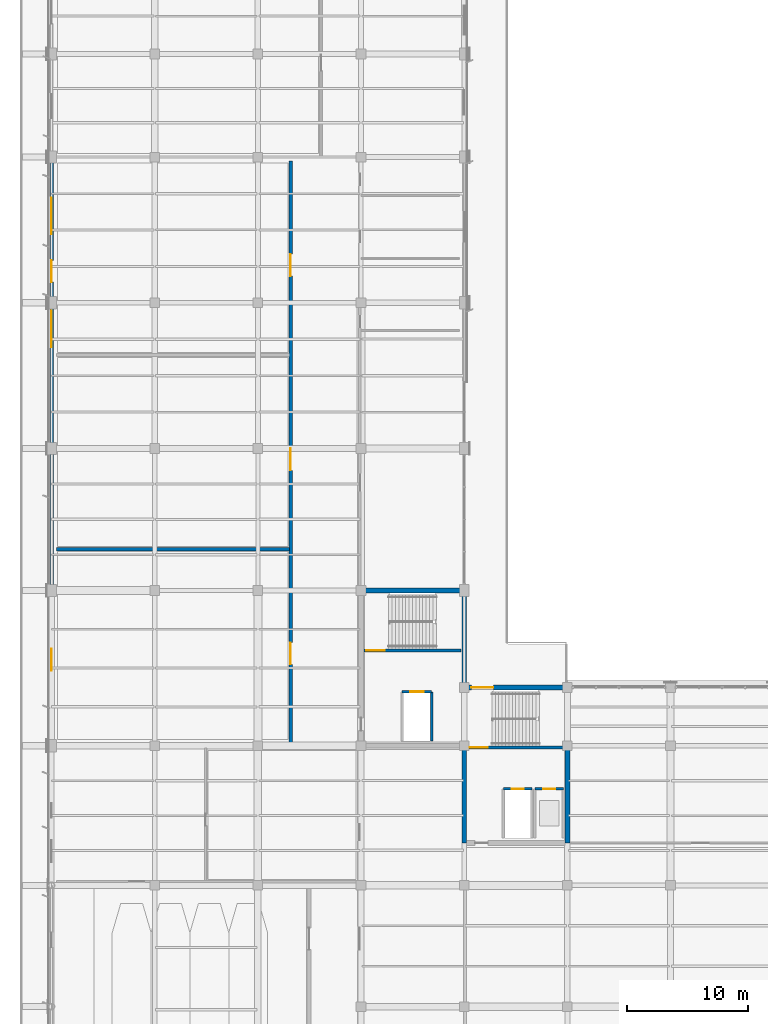
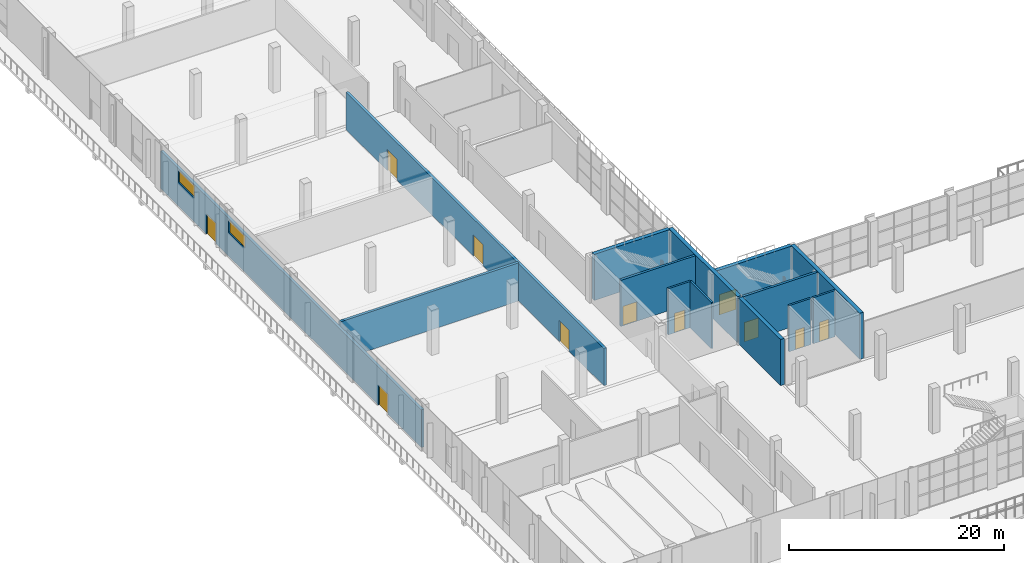
# One storey, part 67 of 90: 14 walls, 11 doors, 2 windows, 13 openings.
"""IFC4 building model written with IfcOpenShell, lengths in metres."""

from ifc_helpers import new_model, si_unit, direction, frame, frame_2d, origin, place, context, subcontext, project, spatial, rectangle, extrude, material, layer, layer_set, type_object, element, fill, save


model = new_model("IFC4")

# Units and contexts
model_context = context("Model", 3, precision=1e-05, world=origin(), true_north=direction((0.0, 1.0)))
body_context = subcontext(model_context, "Body", "Model", "MODEL_VIEW")
ifc_project = project(units=[si_unit("LENGTHUNIT", "METRE"), si_unit("AREAUNIT", "SQUARE_METRE"), si_unit("VOLUMEUNIT", "CUBIC_METRE"), si_unit("PLANEANGLEUNIT", "RADIAN"), si_unit("MASSUNIT", "GRAM", prefix="KILO")], contexts=[model_context])

# Site, building, storey
site_placement = place(None, origin())
site = spatial("IfcSite", under=ifc_project, at=site_placement, CompositionType="ELEMENT")
building_placement = place(site_placement, origin())
building = spatial("IfcBuilding", under=site, at=building_placement, Name="Solvikara Media Centre", CompositionType="ELEMENT")
storey_placement = place(building_placement, origin())
storey = spatial("IfcBuildingStorey", under=building, at=storey_placement, Name="L00", CompositionType="ELEMENT", Elevation=0.0)

# Walls
ifc_material_1 = material(Name="Concrete fc' 45 MPa (C45/55)", Category="concrete")
ifc_layer_1 = layer(ifc_material_1, 0.39990234375)
ifc_layer_set_1 = layer_set([ifc_layer_1], Name="Concrete fc' 45 MPa (C45/55)")
wall_type_1 = type_object("IfcWallType", Name="WT-02", PredefinedType="SHEAR", material=ifc_layer_set_1)
wall_1_placement = place(storey_placement, frame((34.0, 32.0, 0.0), z_axis=(0.0, 0.0, 1.0), x_axis=(0.0, 1.0, 0.0)))
element("IfcWall", 1, at=wall_1_placement, inside=storey, type_object=wall_type_1, Name="CW-C1-L00-E", PredefinedType="SHEAR", context=body_context, shape_type="SweptSolid", body=[
    extrude(rectangle(XDim=12.800048828125, YDim=0.39990234375, at=frame_2d((6.39990234375, 0.0))), origin(), (0.0, 0.0, 1.0), 5.239990234375),
])
wall_2_placement = place(storey_placement, frame((25.699951171875, 44.800048828125, 0.0), z_axis=(0.0, 0.0, 1.0), x_axis=(1.0, 0.0, 0.0)))
element("IfcWall", 2, at=wall_2_placement, inside=storey, type_object=wall_type_1, Name="CW-C1-L00-N", PredefinedType="SHEAR", context=body_context, shape_type="SweptSolid", body=[
    extrude(rectangle(XDim=8.10009765625, YDim=0.39990234375, at=frame_2d((4.050048828125, 0.0))), origin(), (0.0, 0.0, 1.0), 5.239990234375),
])
wall_3_placement = place(storey_placement, frame((34.0, 24.0, 0.0), z_axis=(0.0, 0.0, 1.0), x_axis=(0.0, 1.0, 0.0)))
element("IfcWall", 3, at=wall_3_placement, inside=storey, type_object=wall_type_1, Name="CW-C2-L00-W", PredefinedType="SHEAR", context=body_context, shape_type="SweptSolid", body=[
    extrude(rectangle(XDim=7.800048828125, YDim=0.39990234375, at=frame_2d((3.89990234375, 0.0))), origin(), (0.0, 0.0, 1.0), 5.239990234375),
])
wall_4_placement = place(storey_placement, frame((42.5, 24.0, 0.0), z_axis=(0.0, 0.0, 1.0), x_axis=(0.0, 1.0, 0.0)))
element("IfcWall", 4, at=wall_4_placement, inside=storey, type_object=wall_type_1, Name="CW-C2-L00-E", PredefinedType="SHEAR", context=body_context, shape_type="SweptSolid", body=[
    extrude(rectangle(XDim=12.800048828125, YDim=0.39990234375, at=frame_2d((6.39990234375, 0.0))), origin(), (0.0, 0.0, 1.0), 5.239990234375),
])

# Wall, opening, door
wall_5_placement = place(storey_placement, frame((34.199951171875, 36.800048828125, 0.0), z_axis=(0.0, 0.0, 1.0), x_axis=(1.0, 0.0, 0.0)))
wall_5 = element("IfcWall", 5, at=wall_5_placement, inside=storey, type_object=wall_type_1, Name="CW-C2-L00-N", PredefinedType="SHEAR", context=body_context, shape_type="SweptSolid", body=[
    extrude(rectangle(XDim=8.10009765625, YDim=0.39990234375, at=frame_2d((4.050048828125, 0.0))), origin(), (0.0, 0.0, 1.0), 5.239990234375),
])
opening_1_placement = place(wall_5_placement, frame((0.39990234375, 0.0, 0.0)))
opening_1 = element("IfcOpeningElement", 6, at=opening_1_placement, cuts=wall_5, Name="Opening EX-C2", PredefinedType="OPENING", context=body_context, shape_type="SweptSolid", body=[
    extrude(rectangle(XDim=1.800048828125, YDim=2.300048828125, at=frame_2d((0.89990234375, 1.14990234375))), frame((0.0, 0.2119140625, 0.0), z_axis=(0.0, -1.0, 0.0), x_axis=(1.0, 0.0, 0.0)), (0.0, 0.0, 1.0), 0.423828125),
])
ifc_material_2 = material(Name="Insulated fire-rated steel door leaf", Category="steel")
door_type_1 = type_object("IfcDoorType", Name="DT-03", OperationType="DOUBLE_DOOR_SINGLE_SWING", PredefinedType="DOOR", material=ifc_material_2)
door_1_placement = place(opening_1_placement, origin())
door_1 = element("IfcDoor", 7, at=door_1_placement, inside=storey, type_object=door_type_1, Name="EX-C2", OperationType="DOUBLE_DOOR_SINGLE_SWING", OverallHeight=2.300048828125, OverallWidth=1.800048828125, PredefinedType="DOOR", context=body_context, shape_type="SweptSolid", body=[
    extrude(rectangle(XDim=1.800048828125, YDim=2.300048828125, at=frame_2d((0.89990234375, 1.14990234375))), frame((0.0, 0.02490234375, 0.0), z_axis=(0.0, -1.0, 0.0), x_axis=(1.0, 0.0, 0.0)), (0.0, 0.0, 1.0), 0.050048828125),
])
fill(opening_1, door_1)

ifc_layer_2 = layer(ifc_material_1, 0.25)
ifc_layer_set_2 = layer_set([ifc_layer_2], Name="Concrete fc' 45 MPa (C45/55)")
wall_type_2 = type_object("IfcWallType", Name="WT-07", PredefinedType="STANDARD", material=ifc_layer_set_2)
wall_6_placement = place(storey_placement, frame((25.75, 39.85009765625, 0.0), z_axis=(0.0, 0.0, 1.0), x_axis=(1.0, 0.0, 0.0)))
wall_6 = element("IfcWall", 8, at=wall_6_placement, inside=storey, type_object=wall_type_2, Name="CW-C1-L00-SD", PredefinedType="STANDARD", context=body_context, shape_type="SweptSolid", body=[
    extrude(rectangle(XDim=8.0, YDim=0.25, at=frame_2d((4.0, 0.0))), origin(), (0.0, 0.0, 1.0), 5.239990234375),
])
opening_2_placement = place(wall_6_placement, frame((0.199951171875, 0.0, 0.0)))
opening_2 = element("IfcOpeningElement", 9, at=opening_2_placement, cuts=wall_6, Name="Opening D-C1-L00-ST", PredefinedType="OPENING", context=body_context, shape_type="SweptSolid", body=[
    extrude(rectangle(XDim=1.5, YDim=2.199951171875, at=frame_2d((0.75, 1.10009765625))), frame((0.0, 0.136962890625, 0.0), z_axis=(0.0, -1.0, 0.0), x_axis=(1.0, 0.0, 0.0)), (0.0, 0.0, 1.0), 0.27392578125),
])
door_type_2 = type_object("IfcDoorType", Name="DT-08", OperationType="DOUBLE_DOOR_SINGLE_SWING", PredefinedType="DOOR", material=ifc_material_2)
door_2_placement = place(opening_2_placement, frame((1.5, 0.0, 0.0), z_axis=(0.0, 0.0, 1.0), x_axis=(-1.0, 0.0, 0.0)))
door_2 = element("IfcDoor", 10, at=door_2_placement, inside=storey, type_object=door_type_2, Name="D-C1-L00-ST", OperationType="DOUBLE_DOOR_SINGLE_SWING", OverallHeight=2.199951171875, OverallWidth=1.5, PredefinedType="DOOR", context=body_context, shape_type="SweptSolid", body=[
    extrude(rectangle(XDim=1.5, YDim=2.199951171875, at=frame_2d((0.75, 1.10009765625))), frame((0.0, 0.02490234375, 0.0), z_axis=(0.0, -1.0, 0.0), x_axis=(1.0, 0.0, 0.0)), (0.0, 0.0, 1.0), 0.050048828125),
])
fill(opening_2, door_2)

wall_7_placement = place(storey_placement, frame((34.25, 31.85009765625, 0.0), z_axis=(0.0, 0.0, 1.0), x_axis=(1.0, 0.0, 0.0)))
wall_7 = element("IfcWall", 11, at=wall_7_placement, inside=storey, type_object=wall_type_2, Name="CW-C2-L00-SD", PredefinedType="STANDARD", context=body_context, shape_type="SweptSolid", body=[
    extrude(rectangle(XDim=8.0, YDim=0.25, at=frame_2d((4.0, 0.0))), origin(), (0.0, 0.0, 1.0), 5.239990234375),
])
opening_3_placement = place(wall_7_placement, frame((0.199951171875, 0.0, 0.0)))
opening_3 = element("IfcOpeningElement", 12, at=opening_3_placement, cuts=wall_7, Name="Opening D-C2-L00-ST", PredefinedType="OPENING", context=body_context, shape_type="SweptSolid", body=[
    extrude(rectangle(XDim=1.5, YDim=2.199951171875, at=frame_2d((0.75, 1.10009765625))), frame((0.0, 0.136962890625, 0.0), z_axis=(0.0, -1.0, 0.0), x_axis=(1.0, 0.0, 0.0)), (0.0, 0.0, 1.0), 0.27392578125),
])
door_3_placement = place(opening_3_placement, frame((1.5, 0.0, 0.0), z_axis=(0.0, 0.0, 1.0), x_axis=(-1.0, 0.0, 0.0)))
door_3 = element("IfcDoor", 13, at=door_3_placement, inside=storey, type_object=door_type_2, Name="D-C2-L00-ST", OperationType="DOUBLE_DOOR_SINGLE_SWING", OverallHeight=2.199951171875, OverallWidth=1.5, PredefinedType="DOOR", context=body_context, shape_type="SweptSolid", body=[
    extrude(rectangle(XDim=1.5, YDim=2.199951171875, at=frame_2d((0.75, 1.10009765625))), frame((0.0, 0.02490234375, 0.0), z_axis=(0.0, -1.0, 0.0), x_axis=(1.0, 0.0, 0.0)), (0.0, 0.0, 1.0), 0.050048828125),
])
fill(opening_3, door_3)

# Wall, openings, doors, windows
ifc_material_3 = material(Name="Precast concrete fc' 40 MPa (C40/50)", Category="concrete")
ifc_layer_3 = layer(ifc_material_3, 0.2900390625)
ifc_layer_set_3 = layer_set([ifc_layer_3], Name="Precast concrete fc' 40 MPa (C40/50)")
wall_type_3 = type_object("IfcWallType", Name="WT-11", PredefinedType="STANDARD", material=ifc_layer_set_3)
wall_8_placement = place(storey_placement, frame((0.0, 32.0, 0.0), z_axis=(0.0, 0.0, 1.0), x_axis=(0.0, 1.0, 0.0)))
wall_8 = element("IfcWall", 14, at=wall_8_placement, inside=storey, type_object=wall_type_3, Name="EW-L00-V4-W", PredefinedType="STANDARD", context=body_context, shape_type="SweptSolid", body=[
    extrude(rectangle(XDim=48.5, YDim=0.2900390625, at=frame_2d((24.25, 0.0))), origin(), (0.0, 0.0, 1.0), 4.280029296875),
])
opening_4_placement = place(wall_8_placement, frame((6.199951171875, 0.0, 0.0)))
opening_4 = element("IfcOpeningElement", 15, at=opening_4_placement, cuts=wall_8, Name="Opening EX-04", PredefinedType="OPENING", context=body_context, shape_type="SweptSolid", body=[
    extrude(rectangle(XDim=1.800048828125, YDim=2.300048828125, at=frame_2d((0.89990234375, 1.14990234375))), frame((0.0, 0.156982421875, 0.0), z_axis=(0.0, -1.0, 0.0), x_axis=(1.0, 0.0, 0.0)), (0.0, 0.0, 1.0), 0.31396484375),
])
opening_5_placement = place(wall_8_placement, frame((38.199951171875, 0.0, 0.0)))
opening_5 = element("IfcOpeningElement", 16, at=opening_5_placement, cuts=wall_8, Name="Opening EX-05", PredefinedType="OPENING", context=body_context, shape_type="SweptSolid", body=[
    extrude(rectangle(XDim=1.800048828125, YDim=2.300048828125, at=frame_2d((0.89990234375, 1.14990234375))), frame((0.0, 0.156982421875, 0.0), z_axis=(0.0, -1.0, 0.0), x_axis=(1.0, 0.0, 0.0)), (0.0, 0.0, 1.0), 0.31396484375),
])
opening_6_placement = place(wall_8_placement, frame((32.830078125, 0.0, 2.719970703125)))
opening_6 = element("IfcOpeningElement", 17, at=opening_6_placement, cuts=wall_8, Name="Opening W-L00-V4W-W04", PredefinedType="OPENING", context=body_context, shape_type="SweptSolid", body=[
    extrude(rectangle(XDim=3.0, YDim=1.39990234375, at=frame_2d((1.5, 0.699951171875))), frame((0.0, 0.156982421875, 0.0), z_axis=(0.0, -1.0, 0.0), x_axis=(1.0, 0.0, 0.0)), (0.0, 0.0, 1.0), 0.31396484375),
])
opening_7_placement = place(wall_8_placement, frame((42.14990234375, 0.0, 2.719970703125)))
opening_7 = element("IfcOpeningElement", 18, at=opening_7_placement, cuts=wall_8, Name="Opening W-L00-V4W-W05", PredefinedType="OPENING", context=body_context, shape_type="SweptSolid", body=[
    extrude(rectangle(XDim=3.0, YDim=1.39990234375, at=frame_2d((1.5, 0.699951171875))), frame((0.0, 0.156982421875, 0.0), z_axis=(0.0, -1.0, 0.0), x_axis=(1.0, 0.0, 0.0)), (0.0, 0.0, 1.0), 0.31396484375),
])
door_4_placement = place(opening_4_placement, origin())
door_4 = element("IfcDoor", 19, at=door_4_placement, inside=storey, type_object=door_type_1, Name="EX-04", OperationType="DOUBLE_DOOR_SINGLE_SWING", OverallHeight=2.300048828125, OverallWidth=1.800048828125, PredefinedType="DOOR", context=body_context, shape_type="SweptSolid", body=[
    extrude(rectangle(XDim=1.800048828125, YDim=2.300048828125, at=frame_2d((0.89990234375, 1.14990234375))), frame((0.0, 0.02490234375, 0.0), z_axis=(0.0, -1.0, 0.0), x_axis=(1.0, 0.0, 0.0)), (0.0, 0.0, 1.0), 0.050048828125),
])
fill(opening_4, door_4)
door_5_placement = place(opening_5_placement, origin())
door_5 = element("IfcDoor", 20, at=door_5_placement, inside=storey, type_object=door_type_1, Name="EX-05", OperationType="DOUBLE_DOOR_SINGLE_SWING", OverallHeight=2.300048828125, OverallWidth=1.800048828125, PredefinedType="DOOR", context=body_context, shape_type="SweptSolid", body=[
    extrude(rectangle(XDim=1.800048828125, YDim=2.300048828125, at=frame_2d((0.89990234375, 1.14990234375))), frame((0.0, 0.02490234375, 0.0), z_axis=(0.0, -1.0, 0.0), x_axis=(1.0, 0.0, 0.0)), (0.0, 0.0, 1.0), 0.050048828125),
])
fill(opening_5, door_5)
ifc_material_4 = material(Name="Double-glazed low-E architectural glass", Category="glass")
window_type = type_object("IfcWindowType", Name="WN-10", PartitioningType="SINGLE_PANEL", PredefinedType="WINDOW", material=ifc_material_4)
window_1_placement = place(opening_6_placement, origin())
window_1 = element("IfcWindow", 21, at=window_1_placement, inside=storey, type_object=window_type, Name="W-L00-V4W-W04", OverallHeight=1.39990234375, OverallWidth=3.0, PartitioningType="SINGLE_PANEL", PredefinedType="WINDOW", context=body_context, shape_type="SweptSolid", body=[
    extrude(rectangle(XDim=3.0, YDim=1.39990234375, at=frame_2d((1.5, 0.699951171875))), frame((0.0, 0.030029296875, 0.0), z_axis=(0.0, -1.0, 0.0), x_axis=(1.0, 0.0, 0.0)), (0.0, 0.0, 1.0), 0.06005859375),
])
fill(opening_6, window_1)
window_2_placement = place(opening_7_placement, origin())
window_2 = element("IfcWindow", 22, at=window_2_placement, inside=storey, type_object=window_type, Name="W-L00-V4W-W05", OverallHeight=1.39990234375, OverallWidth=3.0, PartitioningType="SINGLE_PANEL", PredefinedType="WINDOW", context=body_context, shape_type="SweptSolid", body=[
    extrude(rectangle(XDim=3.0, YDim=1.39990234375, at=frame_2d((1.5, 0.699951171875))), frame((0.0, 0.030029296875, 0.0), z_axis=(0.0, -1.0, 0.0), x_axis=(1.0, 0.0, 0.0)), (0.0, 0.0, 1.0), 0.06005859375),
])
fill(opening_7, window_2)

# Wall, openings, doors
ifc_material_5 = material(Name="Double-stud acoustic gypsum partition assembly")
ifc_layer_4 = layer(ifc_material_5, 0.27001953125)
ifc_layer_set_4 = layer_set([ifc_layer_4], Name="Double-stud acoustic gypsum partition assembly")
wall_type_4 = type_object("IfcWallType", Name="WT-16", PredefinedType="PARTITIONING", material=ifc_layer_set_4)
wall_9_placement = place(storey_placement, frame((19.699951171875, 32.199951171875, 0.0), z_axis=(0.0, 0.0, 1.0), x_axis=(0.0, 1.0, 0.0)))
wall_9 = element("IfcWall", 23, at=wall_9_placement, inside=storey, type_object=wall_type_4, Name="PW-L00-017", PredefinedType="PARTITIONING", context=body_context, shape_type="SweptSolid", body=[
    extrude(rectangle(XDim=48.0, YDim=0.27001953125, at=frame_2d((24.0, 0.0))), origin(), (0.0, 0.0, 1.0), 4.22998046875),
])
opening_8_placement = place(wall_9_placement, frame((6.5, 0.0, 0.0)))
opening_8 = element("IfcOpeningElement", 24, at=opening_8_placement, cuts=wall_9, Name="Opening D-L00-017-1", PredefinedType="OPENING", context=body_context, shape_type="SweptSolid", body=[
    extrude(rectangle(XDim=1.800048828125, YDim=2.39990234375, at=frame_2d((0.89990234375, 1.199951171875))), frame((0.0, 0.14697265625, 0.0), z_axis=(0.0, -1.0, 0.0), x_axis=(1.0, 0.0, 0.0)), (0.0, 0.0, 1.0), 0.2939453125),
])
opening_9_placement = place(wall_9_placement, frame((22.5, 0.0, 0.0)))
opening_9 = element("IfcOpeningElement", 25, at=opening_9_placement, cuts=wall_9, Name="Opening D-L00-017-2", PredefinedType="OPENING", context=body_context, shape_type="SweptSolid", body=[
    extrude(rectangle(XDim=1.800048828125, YDim=2.39990234375, at=frame_2d((0.89990234375, 1.199951171875))), frame((0.0, 0.14697265625, 0.0), z_axis=(0.0, -1.0, 0.0), x_axis=(1.0, 0.0, 0.0)), (0.0, 0.0, 1.0), 0.2939453125),
])
opening_10_placement = place(wall_9_placement, frame((38.5, 0.0, 0.0)))
opening_10 = element("IfcOpeningElement", 26, at=opening_10_placement, cuts=wall_9, Name="Opening D-L00-017-3", PredefinedType="OPENING", context=body_context, shape_type="SweptSolid", body=[
    extrude(rectangle(XDim=1.800048828125, YDim=2.39990234375, at=frame_2d((0.89990234375, 1.199951171875))), frame((0.0, 0.14697265625, 0.0), z_axis=(0.0, -1.0, 0.0), x_axis=(1.0, 0.0, 0.0)), (0.0, 0.0, 1.0), 0.2939453125),
])
ifc_material_6 = material(Name="Solid core acoustic hardwood timber", Category="wood")
door_type_3 = type_object("IfcDoorType", Name="DT-12", OperationType="DOUBLE_DOOR_SINGLE_SWING", PredefinedType="DOOR", material=ifc_material_6)
door_6_placement = place(opening_8_placement, frame((1.800048828125, 0.0, 0.0), z_axis=(0.0, 0.0, 1.0), x_axis=(-1.0, 0.0, 0.0)))
door_6 = element("IfcDoor", 27, at=door_6_placement, inside=storey, type_object=door_type_3, Name="D-L00-017-1", OperationType="DOUBLE_DOOR_SINGLE_SWING", OverallHeight=2.39990234375, OverallWidth=1.800048828125, PredefinedType="DOOR", context=body_context, shape_type="SweptSolid", body=[
    extrude(rectangle(XDim=1.800048828125, YDim=2.39990234375, at=frame_2d((0.89990234375, 1.199951171875))), frame((0.0, 0.02490234375, 0.0), z_axis=(0.0, -1.0, 0.0), x_axis=(1.0, 0.0, 0.0)), (0.0, 0.0, 1.0), 0.050048828125),
])
fill(opening_8, door_6)
door_7_placement = place(opening_9_placement, frame((1.800048828125, 0.0, 0.0), z_axis=(0.0, 0.0, 1.0), x_axis=(-1.0, 0.0, 0.0)))
door_7 = element("IfcDoor", 28, at=door_7_placement, inside=storey, type_object=door_type_3, Name="D-L00-017-2", OperationType="DOUBLE_DOOR_SINGLE_SWING", OverallHeight=2.39990234375, OverallWidth=1.800048828125, PredefinedType="DOOR", context=body_context, shape_type="SweptSolid", body=[
    extrude(rectangle(XDim=1.800048828125, YDim=2.39990234375, at=frame_2d((0.89990234375, 1.199951171875))), frame((0.0, 0.02490234375, 0.0), z_axis=(0.0, -1.0, 0.0), x_axis=(1.0, 0.0, 0.0)), (0.0, 0.0, 1.0), 0.050048828125),
])
fill(opening_9, door_7)
door_8_placement = place(opening_10_placement, frame((1.800048828125, 0.0, 0.0), z_axis=(0.0, 0.0, 1.0), x_axis=(-1.0, 0.0, 0.0)))
door_8 = element("IfcDoor", 29, at=door_8_placement, inside=storey, type_object=door_type_3, Name="D-L00-017-3", OperationType="DOUBLE_DOOR_SINGLE_SWING", OverallHeight=2.39990234375, OverallWidth=1.800048828125, PredefinedType="DOOR", context=body_context, shape_type="SweptSolid", body=[
    extrude(rectangle(XDim=1.800048828125, YDim=2.39990234375, at=frame_2d((0.89990234375, 1.199951171875))), frame((0.0, 0.02490234375, 0.0), z_axis=(0.0, -1.0, 0.0), x_axis=(1.0, 0.0, 0.0)), (0.0, 0.0, 1.0), 0.050048828125),
])
fill(opening_10, door_8)

# Walls
wall_10_placement = place(storey_placement, frame((0.39990234375, 48.199951171875, 0.0), z_axis=(0.0, 0.0, 1.0), x_axis=(1.0, 0.0, 0.0)))
element("IfcWall", 30, at=wall_10_placement, inside=storey, type_object=wall_type_4, Name="PW-L00-018", PredefinedType="PARTITIONING", context=body_context, shape_type="SweptSolid", body=[
    extrude(rectangle(XDim=19.2001953125, YDim=0.27001953125, at=frame_2d((9.60009765625, 0.0))), origin(), (0.0, 0.0, 1.0), 4.330078125),
])
ifc_material_7 = material(Name="Fire-rated gypsum and mineral-wool shaft wall assembly")
ifc_layer_5 = layer(ifc_material_7, 0.2099609375)
ifc_layer_set_5 = layer_set([ifc_layer_5], Name="Fire-rated gypsum and mineral-wool shaft wall assembly")
wall_type_5 = type_object("IfcWallType", Name="WT-17", PredefinedType="PARTITIONING", material=ifc_layer_set_5)
wall_11_placement = place(storey_placement, frame((31.320068359375, 32.39990234375, 0.0), z_axis=(0.0, 0.0, 1.0), x_axis=(0.0, 1.0, 0.0)))
element("IfcWall", 31, at=wall_11_placement, inside=storey, type_object=wall_type_5, Name="LW-LF-S1-L00-E", PredefinedType="PARTITIONING", context=body_context, shape_type="SweptSolid", body=[
    extrude(rectangle(XDim=4.050048828125, YDim=0.2099609375, at=frame_2d((2.02490234375, 0.0))), origin(), (0.0, 0.0, 1.0), 5.239990234375),
])

# Wall, opening, door
wall_12_placement = place(storey_placement, frame((28.8798828125, 36.449951171875, 0.0), z_axis=(0.0, 0.0, 1.0), x_axis=(1.0, 0.0, 0.0)))
wall_12 = element("IfcWall", 32, at=wall_12_placement, inside=storey, type_object=wall_type_5, Name="LW-LF-S1-L00-N", PredefinedType="PARTITIONING", context=body_context, shape_type="SweptSolid", body=[
    extrude(rectangle(XDim=2.440185546875, YDim=0.2099609375, at=frame_2d((1.22021484375, 0.0))), origin(), (0.0, 0.0, 1.0), 5.239990234375),
])
opening_11_placement = place(wall_12_placement, frame((0.669921875, 0.0, 0.0)))
opening_11 = element("IfcOpeningElement", 33, at=opening_11_placement, cuts=wall_12, Name="Opening LD-LF-S1-L00", PredefinedType="OPENING", context=body_context, shape_type="SweptSolid", body=[
    extrude(rectangle(XDim=1.10009765625, YDim=2.199951171875, at=frame_2d((0.550048828125, 1.10009765625))), frame((0.0, 0.116943359375, 0.0), z_axis=(0.0, -1.0, 0.0), x_axis=(1.0, 0.0, 0.0)), (0.0, 0.0, 1.0), 0.23388671875),
])
door_type_4 = type_object("IfcDoorType", Name="LD-01", OperationType="DOUBLE_DOOR_SLIDING", PredefinedType="DOOR", material=ifc_material_2)
door_9_placement = place(opening_11_placement, origin())
door_9 = element("IfcDoor", 34, at=door_9_placement, inside=storey, type_object=door_type_4, Name="LD-LF-S1-L00", OperationType="DOUBLE_DOOR_SLIDING", OverallHeight=2.199951171875, OverallWidth=1.10009765625, PredefinedType="DOOR", context=body_context, shape_type="SweptSolid", body=[
    extrude(rectangle(XDim=1.10009765625, YDim=2.199951171875, at=frame_2d((0.550048828125, 1.10009765625))), frame((0.0, 0.02490234375, 0.0), z_axis=(0.0, -1.0, 0.0), x_axis=(1.0, 0.0, 0.0)), (0.0, 0.0, 1.0), 0.050048828125),
])
fill(opening_11, door_9)

wall_13_placement = place(storey_placement, frame((37.22998046875, 28.449951171875, 0.0), z_axis=(0.0, 0.0, 1.0), x_axis=(1.0, 0.0, 0.0)))
wall_13 = element("IfcWall", 35, at=wall_13_placement, inside=storey, type_object=wall_type_5, Name="LW-LF-P1-L00-N", PredefinedType="PARTITIONING", context=body_context, shape_type="SweptSolid", body=[
    extrude(rectangle(XDim=2.340087890625, YDim=0.2099609375, at=frame_2d((1.169921875, 0.0))), origin(), (0.0, 0.0, 1.0), 5.239990234375),
])
opening_12_placement = place(wall_13_placement, frame((0.669921875, 0.0, 0.0)))
opening_12 = element("IfcOpeningElement", 36, at=opening_12_placement, cuts=wall_13, Name="Opening LD-LF-P1-L00", PredefinedType="OPENING", context=body_context, shape_type="SweptSolid", body=[
    extrude(rectangle(XDim=1.0, YDim=2.199951171875, at=frame_2d((0.5, 1.10009765625))), frame((0.0, 0.116943359375, 0.0), z_axis=(0.0, -1.0, 0.0), x_axis=(1.0, 0.0, 0.0)), (0.0, 0.0, 1.0), 0.23388671875),
])
door_type_5 = type_object("IfcDoorType", Name="LD-02", OperationType="DOUBLE_DOOR_SLIDING", PredefinedType="DOOR", material=ifc_material_2)
door_10_placement = place(opening_12_placement, origin())
door_10 = element("IfcDoor", 37, at=door_10_placement, inside=storey, type_object=door_type_5, Name="LD-LF-P1-L00", OperationType="DOUBLE_DOOR_SLIDING", OverallHeight=2.199951171875, OverallWidth=1.0, PredefinedType="DOOR", context=body_context, shape_type="SweptSolid", body=[
    extrude(rectangle(XDim=1.0, YDim=2.199951171875, at=frame_2d((0.5, 1.10009765625))), frame((0.0, 0.02490234375, 0.0), z_axis=(0.0, -1.0, 0.0), x_axis=(1.0, 0.0, 0.0)), (0.0, 0.0, 1.0), 0.050048828125),
])
fill(opening_12, door_10)

wall_14_placement = place(storey_placement, frame((39.830078125, 28.449951171875, 0.0), z_axis=(0.0, 0.0, 1.0), x_axis=(1.0, 0.0, 0.0)))
wall_14 = element("IfcWall", 38, at=wall_14_placement, inside=storey, type_object=wall_type_5, Name="LW-LF-P2-L00-N", PredefinedType="PARTITIONING", context=body_context, shape_type="SweptSolid", body=[
    extrude(rectangle(XDim=2.33984375, YDim=0.2099609375, at=frame_2d((1.169921875, 0.0))), origin(), (0.0, 0.0, 1.0), 5.239990234375),
])
opening_13_placement = place(wall_14_placement, frame((0.669921875, 0.0, 0.0)))
opening_13 = element("IfcOpeningElement", 39, at=opening_13_placement, cuts=wall_14, Name="Opening LD-LF-P2-L00", PredefinedType="OPENING", context=body_context, shape_type="SweptSolid", body=[
    extrude(rectangle(XDim=1.0, YDim=2.199951171875, at=frame_2d((0.5, 1.10009765625))), frame((0.0, 0.116943359375, 0.0), z_axis=(0.0, -1.0, 0.0), x_axis=(1.0, 0.0, 0.0)), (0.0, 0.0, 1.0), 0.23388671875),
])
door_11_placement = place(opening_13_placement, origin())
door_11 = element("IfcDoor", 40, at=door_11_placement, inside=storey, type_object=door_type_5, Name="LD-LF-P2-L00", OperationType="DOUBLE_DOOR_SLIDING", OverallHeight=2.199951171875, OverallWidth=1.0, PredefinedType="DOOR", context=body_context, shape_type="SweptSolid", body=[
    extrude(rectangle(XDim=1.0, YDim=2.199951171875, at=frame_2d((0.5, 1.10009765625))), frame((0.0, 0.02490234375, 0.0), z_axis=(0.0, -1.0, 0.0), x_axis=(1.0, 0.0, 0.0)), (0.0, 0.0, 1.0), 0.050048828125),
])
fill(opening_13, door_11)

save(model, "model.ifc")
